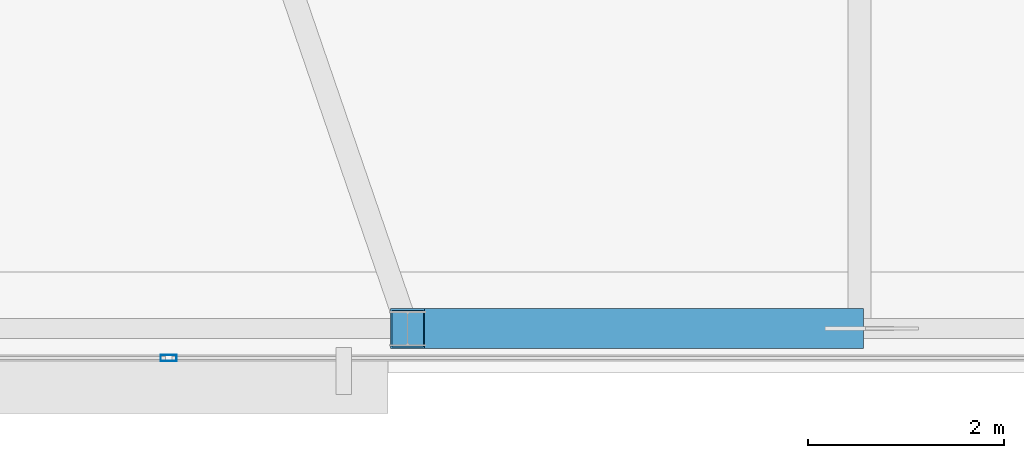
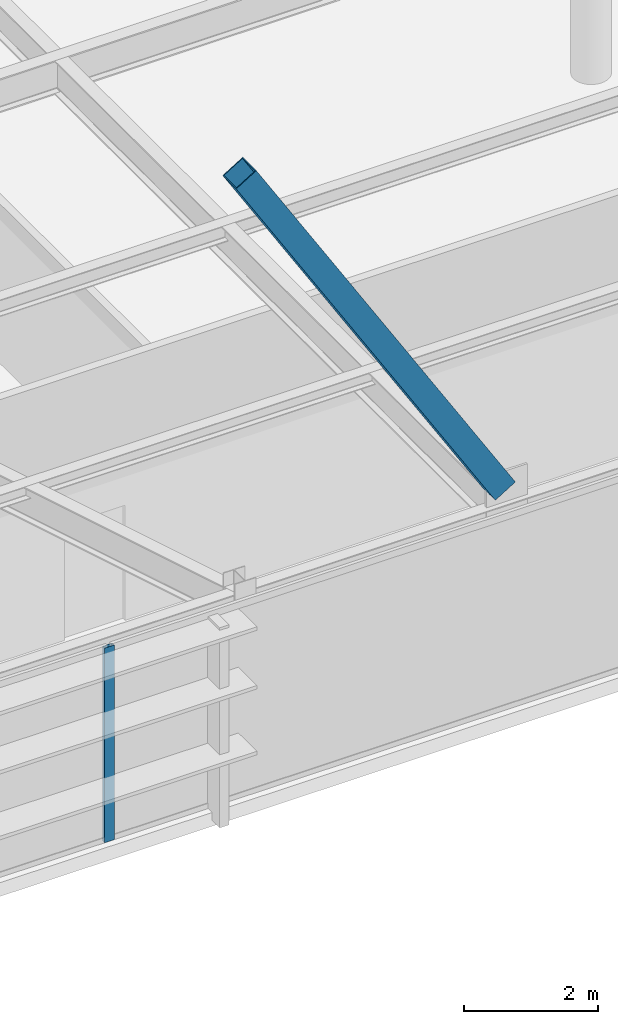
# One storey, part 6 of 27: 2 members, 1 element without a shape of its own.
"""IFC4 building model written with IfcOpenShell, lengths in metres."""

from ifc_helpers import new_model, si_unit, direction, frame, origin, origin_2d, place, context, subcontext, project, spatial, hollow_rectangle, extrude, source, transform, mapped, material, layer, layer_set, material_profile, profile_set, type_object, type_shapes, element, aggregate, save


model = new_model("IFC4")

# Units and contexts
model_context = context("Model", 3, precision=1e-05, world=origin(), true_north=direction((0.0, 1.0)))
body_context = subcontext(model_context, "Body", "Model", "MODEL_VIEW")
ifc_project = project(units=[si_unit("LENGTHUNIT", "METRE"), si_unit("AREAUNIT", "SQUARE_METRE"), si_unit("VOLUMEUNIT", "CUBIC_METRE"), si_unit("PLANEANGLEUNIT", "RADIAN"), si_unit("MASSUNIT", "GRAM", prefix="KILO")], contexts=[model_context])

# Site, building, storey
site_placement = place(None, origin())
site = spatial("IfcSite", under=ifc_project, at=site_placement, CompositionType="ELEMENT")
building_placement = place(site_placement, origin())
building = spatial("IfcBuilding", under=site, at=building_placement, Name="Varnel Quay Broadcast Tower", CompositionType="ELEMENT")
storey_placement = place(building_placement, frame((0.0, 0.0, 203.60009765625)))
storey = spatial("IfcBuildingStorey", under=building, at=storey_placement, Name="L50", CompositionType="ELEMENT", Elevation=203.60009765625)

# Member
ifc_material_1 = material(Name="Structural Steel CSA G40.21 350W", Category="steel")
ifc_material_profile_1 = material_profile(ifc_material_1, hollow_rectangle(XDim=0.406005859375, YDim=0.406005859375, WallThickness=0.01611328125, at=origin_2d()), Name="HSS406X406X16")
ifc_profile_set_1 = profile_set([ifc_material_profile_1], Name="Structural Steel CSA G40.21 350W")
member_type_1 = type_object("IfcMemberType", Name="Brace_HSS406X406X16", PredefinedType="BRACE", material=ifc_profile_set_1)
shared_shape_1 = source(origin(), body_context, "Body", "SweptSolid", [
    extrude(hollow_rectangle(XDim=0.406005859375, YDim=0.406005859375, WallThickness=0.01611328125, at=origin_2d()), origin(), (0.0, 0.0, 1.0), 8.508056640625),
])
type_shapes(member_type_1, [shared_shape_1])
member_1_placement = place(storey_placement, frame((33.86767578125, 10.64990234375, 3.889404296875), z_axis=(-0.525128109977, 0.0, 0.851023188939), x_axis=(0.0, -1.0, 0.0)))
element("IfcMember", 1, at=member_1_placement, inside=storey, type_object=member_type_1, Name="Zone 4 Mega-Brace S-C1T1 Split Diag B2", PredefinedType="BRACE", context=body_context, shape_type="MappedRepresentation", body=[
    mapped(shared_shape_1, transform((0.0, 0.0, 0.0), x_axis=(1.0, 0.0, 0.0), y_axis=(0.0, 1.0, 0.0), z_axis=(0.0, 0.0, 1.0), scale=1.0)),
])

# Curtain wall, member
ifc_material_2 = material(Name="Anodised Bronze Aluminium 6063-T6", Category="aluminium")
ifc_layer = layer(ifc_material_2, 0.18994140625, Name="Anodised Bronze Aluminium 6063-T6")
ifc_layer_set = layer_set([ifc_layer], Name="Anodised Bronze Aluminium 6063-T6")
curtain_wall_type = type_object("IfcCurtainWallType", Name="CW_UpperTower", PredefinedType="NOTDEFINED", material=ifc_layer_set)
curtain_wall_placement = place(storey_placement, origin())
curtain_wall = element("IfcCurtainWall", 2, at=curtain_wall_placement, inside=storey, type_object=curtain_wall_type, Name="L50 South Unitised Curtain Wall 1", PredefinedType="NOTDEFINED")
ifc_material_profile_2 = material_profile(ifc_material_2, hollow_rectangle(XDim=0.06494140625, YDim=0.1650390625, WallThickness=0.00341796875, at=origin_2d()), Name="ALU65X165X3.5")
ifc_profile_set_2 = profile_set([ifc_material_profile_2], Name="Anodised Bronze Aluminium 6063-T6")
member_type_2 = type_object("IfcMemberType", Name="Mull_CWS-03", PredefinedType="MULLION", material=ifc_profile_set_2)
shared_shape_2 = source(origin(), body_context, "Body", "SweptSolid", [
    extrude(hollow_rectangle(XDim=0.06494140625, YDim=0.1650390625, WallThickness=0.00341796875, at=origin_2d()), origin(), (0.0, 0.0, 1.0), 3.5498046875),
])
type_shapes(member_type_2, [shared_shape_2])
member_2_placement = place(storey_placement, frame((26.966552734375, 10.35009765625, 0.0), z_axis=(0.0, 0.0, 1.0), x_axis=(0.0, 1.0, 0.0)))
member_2 = element("IfcMember", 3, at=member_2_placement, type_object=member_type_2, Name="CWS-03 mullion 2", PredefinedType="MULLION", context=body_context, shape_type="MappedRepresentation", body=[
    mapped(shared_shape_2, transform((0.0, 0.0, 0.0), x_axis=(1.0, 0.0, 0.0), y_axis=(0.0, 1.0, 0.0), z_axis=(0.0, 0.0, 1.0), scale=1.0)),
])
aggregate(curtain_wall, [member_2])

save(model, "model.ifc")
